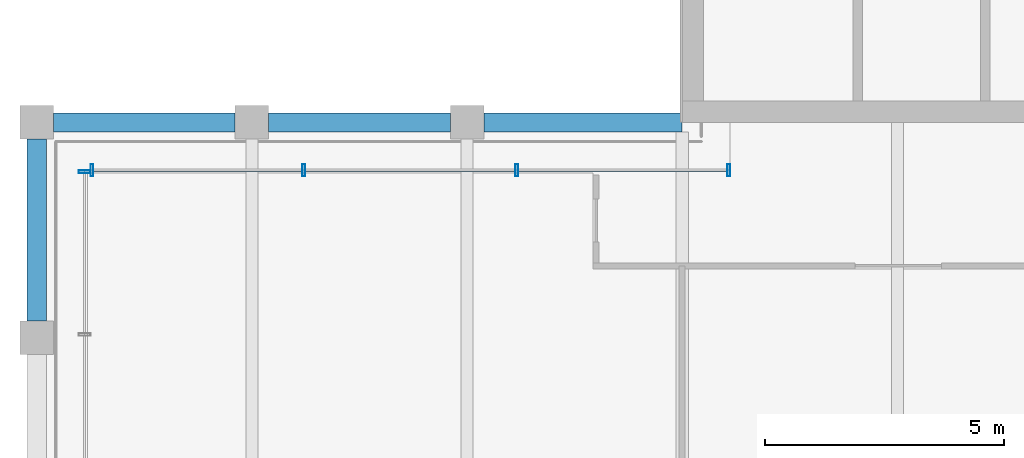
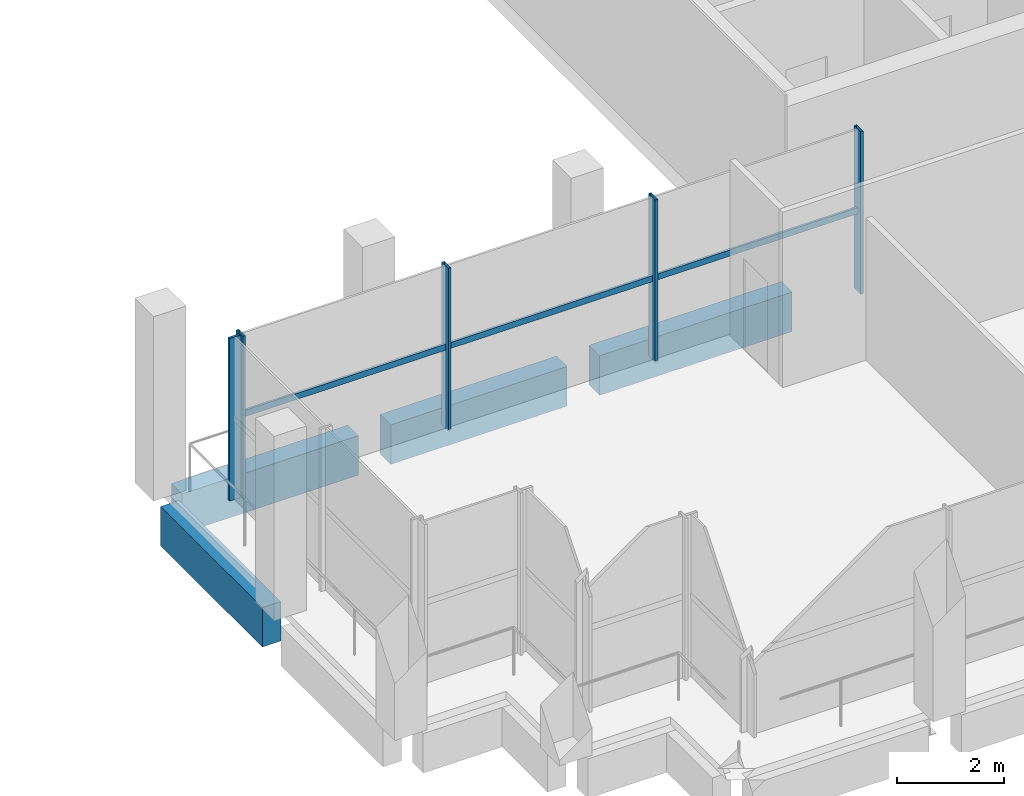
# One storey, part 4 of 17: 8 members, 4 beams, 2 elements without a shape of their own.
"""IFC4 building model written with IfcOpenShell, lengths in metres."""

from ifc_helpers import new_model, si_unit, direction, frame, origin, origin_2d, place, context, subcontext, project, spatial, rectangle, hollow_rectangle, extrude, material, material_profile, profile_set, type_object, element, aggregate, save


model = new_model("IFC4")

# Units and contexts
model_context = context("Model", 3, precision=1e-05, world=origin(), true_north=direction((0.0, 1.0)))
body_context = subcontext(model_context, "Body", "Model", "MODEL_VIEW")
ifc_project = project(units=[si_unit("LENGTHUNIT", "METRE"), si_unit("AREAUNIT", "SQUARE_METRE"), si_unit("VOLUMEUNIT", "CUBIC_METRE"), si_unit("PLANEANGLEUNIT", "RADIAN"), si_unit("MASSUNIT", "GRAM", prefix="KILO")], contexts=[model_context])

# Site, building, storey
site_placement = place(None, origin())
site = spatial("IfcSite", under=ifc_project, at=site_placement, CompositionType="ELEMENT")
building_placement = place(site_placement, origin())
building = spatial("IfcBuilding", under=site, at=building_placement, Name="Altepetl Exchange Towers", CompositionType="ELEMENT")
storey_placement = place(building_placement, frame((0.0, 0.0, 259.39990234375)))
storey = spatial("IfcBuildingStorey", under=building, at=storey_placement, Name="L66", CompositionType="ELEMENT", Elevation=259.39990234375)

# Curtain wall, members
ifc_material_1 = material(Name="Aluminium 6063-T6 glazing", Category="aluminium")
curtain_wall_type = type_object("IfcCurtainWallType", Name="Executive flush glazing system", PredefinedType="NOTDEFINED", material=ifc_material_1)
curtain_wall_1_placement = place(storey_placement, origin())
curtain_wall_1 = element("IfcCurtainWall", 1, at=curtain_wall_1_placement, inside=storey, type_object=curtain_wall_type, Name="CW4 run", PredefinedType="NOTDEFINED")
ifc_material_2 = material(Name="Aluminium 6063-T6", Category="aluminium")
ifc_material_profile_1 = material_profile(ifc_material_2, hollow_rectangle(XDim=0.06005859375, YDim=0.25, WallThickness=0.0029296875, at=origin_2d()), Name="Mullion 60x250 hollow aluminium")
ifc_profile_set_1 = profile_set([ifc_material_profile_1], Name="Aluminium 6063-T6")
member_type_1 = type_object("IfcMemberType", Name="Mullion 60x250 hollow aluminium", PredefinedType="MULLION", material=ifc_profile_set_1)
member_1_placement = place(storey_placement, frame((41.469970703125, 39.5, 0.0), z_axis=(0.0, 0.0, 1.0), x_axis=(-1.0, 0.0, 0.0)))
member_1 = element("IfcMember", 2, at=member_1_placement, type_object=member_type_1, Name="MU3 mullion", PredefinedType="MULLION", context=body_context, shape_type="SweptSolid", body=[
    extrude(hollow_rectangle(XDim=0.06005859375, YDim=0.25, WallThickness=0.0029296875, at=origin_2d()), origin(), (0.0, 0.0, 1.0), 3.7001953125),
])
member_2_placement = place(storey_placement, frame((37.041748046875, 39.5, 0.0), z_axis=(0.0, 0.0, 1.0), x_axis=(-1.0, 0.0, 0.0)))
member_2 = element("IfcMember", 3, at=member_2_placement, type_object=member_type_1, Name="MU3 mullion", PredefinedType="MULLION", context=body_context, shape_type="SweptSolid", body=[
    extrude(hollow_rectangle(XDim=0.06005859375, YDim=0.25, WallThickness=0.0029296875, at=origin_2d()), origin(), (0.0, 0.0, 1.0), 3.7001953125),
])
member_3_placement = place(storey_placement, frame((32.583251953125, 39.5, 0.0), z_axis=(0.0, 0.0, 1.0), x_axis=(-1.0, 0.0, 0.0)))
member_3 = element("IfcMember", 4, at=member_3_placement, type_object=member_type_1, Name="MU3 mullion", PredefinedType="MULLION", context=body_context, shape_type="SweptSolid", body=[
    extrude(hollow_rectangle(XDim=0.06005859375, YDim=0.25, WallThickness=0.0029296875, at=origin_2d()), origin(), (0.0, 0.0, 1.0), 3.7001953125),
])
member_4_placement = place(storey_placement, frame((28.155029296875, 39.5, 0.0), z_axis=(0.0, 0.0, 1.0), x_axis=(-1.0, 0.0, 0.0)))
member_4 = element("IfcMember", 5, at=member_4_placement, type_object=member_type_1, Name="MU3 mullion", PredefinedType="MULLION", context=body_context, shape_type="SweptSolid", body=[
    extrude(hollow_rectangle(XDim=0.06005859375, YDim=0.25, WallThickness=0.0029296875, at=origin_2d()), origin(), (0.0, 0.0, 1.0), 3.7001953125),
])

# Curtain wall, member
curtain_wall_2_placement = place(storey_placement, origin())
curtain_wall_2 = element("IfcCurtainWall", 6, at=curtain_wall_2_placement, inside=storey, type_object=curtain_wall_type, Name="CW4 run", PredefinedType="NOTDEFINED")
member_5_placement = place(storey_placement, frame((28.0, 39.469970703125, 0.0), z_axis=(0.0, 0.0, 1.0), x_axis=(0.0, -1.0, 0.0)))
member_5 = element("IfcMember", 7, at=member_5_placement, type_object=member_type_1, Name="MU3 mullion", PredefinedType="MULLION", context=body_context, shape_type="SweptSolid", body=[
    extrude(hollow_rectangle(XDim=0.06005859375, YDim=0.25, WallThickness=0.0029296875, at=origin_2d()), origin(), (0.0, 0.0, 1.0), 3.7001953125),
])
aggregate(curtain_wall_2, [member_5])

# Beams
ifc_material_3 = material(Name="Concrete C50/60 precast with cantera blanca facing", Category="concrete")
ifc_material_profile_2 = material_profile(ifc_material_3, rectangle(XDim=0.39990234375, YDim=0.89990234375, at=origin_2d()), Name="400 x 900")
ifc_profile_set_2 = profile_set([ifc_material_profile_2], Name="Concrete C50/60 precast with cantera blanca facing")
beam_type_1 = type_object("IfcBeamType", Name="Spandrel beam 400x900 cantera blanca", PredefinedType="SPANDREL", material=ifc_profile_set_2)
beam_1_placement = place(storey_placement, frame((27.0, 40.14990234375, -0.625), z_axis=(0.0, -1.0, 0.0), x_axis=(1.0, 0.0, 0.0)))
element("IfcBeam", 8, at=beam_1_placement, inside=storey, type_object=beam_type_1, Name="sp:A:L66:036", PredefinedType="SPANDREL", context=body_context, shape_type="SweptSolid", body=[
    extrude(rectangle(XDim=0.39990234375, YDim=0.89990234375, at=origin_2d()), origin(), (0.0, 0.0, 1.0), 3.7998046875),
])
ifc_material_4 = material(Name="Concrete C50/60 precast with tezontle facing", Category="concrete")
ifc_material_profile_3 = material_profile(ifc_material_4, rectangle(XDim=0.39990234375, YDim=0.89990234375, at=origin_2d()), Name="400 x 900")
ifc_profile_set_3 = profile_set([ifc_material_profile_3], Name="Concrete C50/60 precast with tezontle facing")
beam_type_2 = type_object("IfcBeamType", Name="Spandrel beam 400x900 tezontle", PredefinedType="SPANDREL", material=ifc_profile_set_3)
beam_2_placement = place(storey_placement, frame((40.5, 40.5, -0.625), z_axis=(-1.0, 0.0, 0.0), x_axis=(0.0, -1.0, 0.0)))
element("IfcBeam", 9, at=beam_2_placement, inside=storey, type_object=beam_type_2, Name="sp:A:L66:033", PredefinedType="SPANDREL", context=body_context, shape_type="SweptSolid", body=[
    extrude(rectangle(XDim=0.39990234375, YDim=0.89990234375, at=origin_2d()), origin(), (0.0, 0.0, 1.0), 4.14990234375),
])
for number, where, z_axis, x_axis, name in (
    (10, (35.64990234375, 40.5, -0.625), (-1.0, 0.0, 0.0), (0.0, -1.0, 0.0), "sp:A:L66:034"),
    (11, (31.14990234375, 40.5, -0.625), (-1.0, 0.0, 0.0), (0.0, -1.0, 0.0), "sp:A:L66:035"),
):
    element("IfcBeam", number, at=place(storey_placement, frame(where, z_axis=z_axis, x_axis=x_axis)), inside=storey, type_object=beam_type_2, Name=name, PredefinedType="SPANDREL", context=body_context, shape_type="SweptSolid", body=[
        extrude(rectangle(XDim=0.39990234375, YDim=0.89990234375, at=origin_2d()), origin(), (0.0, 0.0, 1.0), 3.7998046875),
    ])

# Member
ifc_material_profile_4 = material_profile(ifc_material_2, hollow_rectangle(XDim=0.050048828125, YDim=0.139892578125, WallThickness=0.0029296875, at=origin_2d()), Name="Transom 50x140 hollow aluminium")
ifc_profile_set_4 = profile_set([ifc_material_profile_4], Name="Aluminium 6063-T6")
member_type_2 = type_object("IfcMemberType", Name="Transom 50x140 hollow aluminium", PredefinedType="USERDEFINED", material=ifc_profile_set_4)
member_6_placement = place(storey_placement, frame((41.43994140625, 39.5, 1.85009765625), z_axis=(-1.0, 0.0, 0.0), x_axis=(0.0, -1.0, 0.0)))
member_6 = element("IfcMember", 12, at=member_6_placement, type_object=member_type_2, Name="TR2 transom", ObjectType="TRANSOM", PredefinedType="USERDEFINED", context=body_context, shape_type="SweptSolid", body=[
    extrude(hollow_rectangle(XDim=0.050048828125, YDim=0.139892578125, WallThickness=0.0029296875, at=origin_2d()), origin(), (0.0, 0.0, 1.0), 4.3681640625),
])

member_7_placement = place(storey_placement, frame((37.01171875, 39.5, 1.85009765625), z_axis=(-1.0, 0.0, 0.0), x_axis=(0.0, -1.0, 0.0)))
member_7 = element("IfcMember", 13, at=member_7_placement, type_object=member_type_2, Name="TR2 transom", ObjectType="TRANSOM", PredefinedType="USERDEFINED", context=body_context, shape_type="SweptSolid", body=[
    extrude(hollow_rectangle(XDim=0.050048828125, YDim=0.139892578125, WallThickness=0.0029296875, at=origin_2d()), origin(), (0.0, 0.0, 1.0), 4.3984375),
])

member_8_placement = place(storey_placement, frame((32.55322265625, 39.5, 1.85009765625), z_axis=(-1.0, 0.0, 0.0), x_axis=(0.0, -1.0, 0.0)))
member_8 = element("IfcMember", 14, at=member_8_placement, type_object=member_type_2, Name="TR2 transom", ObjectType="TRANSOM", PredefinedType="USERDEFINED", context=body_context, shape_type="SweptSolid", body=[
    extrude(hollow_rectangle(XDim=0.050048828125, YDim=0.139892578125, WallThickness=0.0029296875, at=origin_2d()), origin(), (0.0, 0.0, 1.0), 4.3681640625),
])

aggregate(curtain_wall_1, [member_1, member_2, member_3, member_4, member_6, member_7, member_8])

save(model, "model.ifc")
